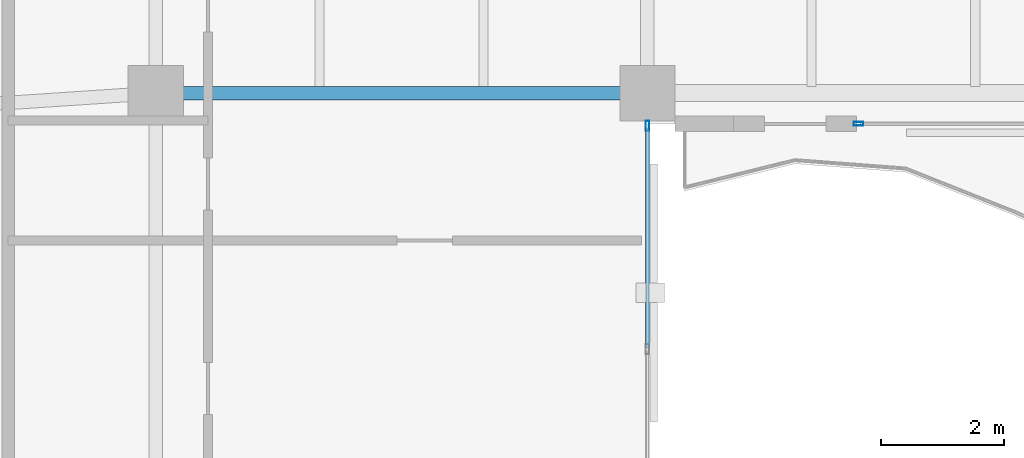
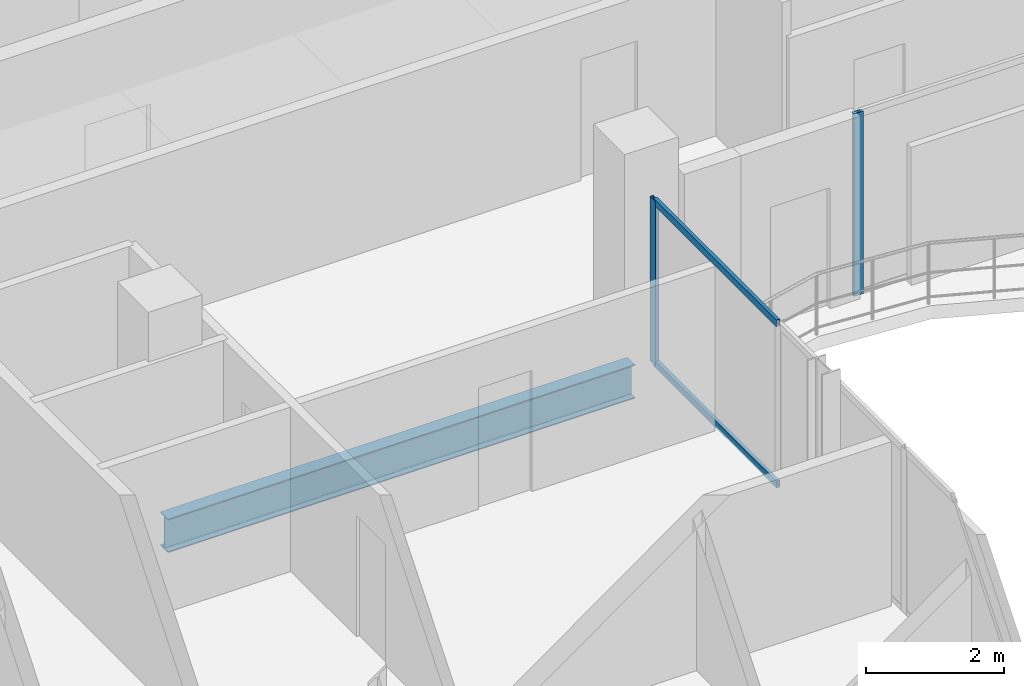
# One storey, part 8 of 22: 4 members, 1 beam, 2 elements without a shape of their own.
"""IFC4 building model written with IfcOpenShell, lengths in metres."""

from ifc_helpers import new_model, si_unit, direction, frame, origin, origin_2d, place, context, subcontext, project, spatial, hollow_rectangle, i_section, extrude, material, layer, layer_set, material_profile, profile_set, type_object, element, aggregate, save


model = new_model("IFC4")

# Units and contexts
model_context = context("Model", 3, precision=1e-05, world=origin(), true_north=direction((0.0, 1.0)))
body_context = subcontext(model_context, "Body", "Model", "MODEL_VIEW")
ifc_project = project(units=[si_unit("LENGTHUNIT", "METRE"), si_unit("AREAUNIT", "SQUARE_METRE"), si_unit("VOLUMEUNIT", "CUBIC_METRE"), si_unit("PLANEANGLEUNIT", "RADIAN"), si_unit("MASSUNIT", "GRAM", prefix="KILO")], contexts=[model_context])

# Site, building, storey
site_placement = place(None, origin())
site = spatial("IfcSite", under=ifc_project, at=site_placement, CompositionType="ELEMENT")
building_placement = place(site_placement, origin())
building = spatial("IfcBuilding", under=site, at=building_placement, Name="Catumbela Crestline Tower", CompositionType="ELEMENT")
storey_placement = place(building_placement, frame((0.0, 0.0, 222.2)))
storey = spatial("IfcBuildingStorey", under=building, at=storey_placement, Name="L57", CompositionType="ELEMENT", Elevation=222.2)

# Beam
ifc_material_1 = material(Name="Structural steel S355J2", Category="steel")
ifc_material_profile_1 = material_profile(ifc_material_1, i_section(OverallWidth=0.22, OverallDepth=0.6, WebThickness=0.012, FlangeThickness=0.019, FilletRadius=0.024, at=origin_2d()), Name="IPE 600")
ifc_profile_set_1 = profile_set([ifc_material_profile_1], Name="Structural steel S355J2")
beam_type = type_object("IfcBeamType", Name="BG-IPE600", PredefinedType="BEAM", material=ifc_profile_set_1)
beam_placement = place(storey_placement, frame((16.08, 24.5, -0.56), z_axis=(1.0, 0.0, 0.0), x_axis=(0.0, 1.0, 0.0)))
element("IfcBeam", 1, at=beam_placement, inside=storey, type_object=beam_type, Name="L57 Beam BM-L57-S03", PredefinedType="BEAM", context=body_context, shape_type="SweptSolid", body=[
    extrude(i_section(OverallWidth=0.22, OverallDepth=0.6, WebThickness=0.012, FlangeThickness=0.019, FilletRadius=0.024, at=origin_2d()), origin(), (0.0, 0.0, 1.0), 7.84),
])

# Curtain wall, member
ifc_material_2 = material(Name="Aluminium alloy AW-6060-T66", Category="aluminium")
ifc_layer = layer(ifc_material_2, 0.18, Name="Aluminium alloy AW-6060-T66")
ifc_layer_set = layer_set([ifc_layer], Name="Aluminium alloy AW-6060-T66")
curtain_wall_type = type_object("IfcCurtainWallType", Name="CWU-Z4", PredefinedType="USERDEFINED", material=ifc_layer_set)
curtain_wall_1_placement = place(storey_placement, origin())
curtain_wall_1 = element("IfcCurtainWall", 2, at=curtain_wall_1_placement, inside=storey, type_object=curtain_wall_type, Name="L57 Unitised Curtain Wall CW-L57-E2S1", ObjectType="UNITISED", PredefinedType="USERDEFINED")
ifc_material_profile_2 = material_profile(ifc_material_2, hollow_rectangle(XDim=0.06, YDim=0.16, WallThickness=0.004, at=origin_2d()), Name="ALU 160x60x4")
ifc_profile_set_2 = profile_set([ifc_material_profile_2], Name="Aluminium alloy AW-6060-T66")
member_type_1 = type_object("IfcMemberType", Name="MUL-160X60", PredefinedType="MULLION", material=ifc_profile_set_2)
member_1_placement = place(storey_placement, frame((24.0, 23.9675, 0.0), z_axis=(0.0, 0.0, 1.0), x_axis=(-1.0, 0.0, 0.0)))
member_1 = element("IfcMember", 3, at=member_1_placement, type_object=member_type_1, Name="CWU-Z4 mullion 4", PredefinedType="MULLION", context=body_context, shape_type="SweptSolid", body=[
    extrude(hollow_rectangle(XDim=0.06, YDim=0.16, WallThickness=0.004, at=origin_2d()), origin(), (0.0, 0.0, 1.0), 2.92),
])

curtain_wall_2_placement = place(storey_placement, origin())
curtain_wall_2 = element("IfcCurtainWall", 4, at=curtain_wall_2_placement, inside=storey, type_object=curtain_wall_type, Name="L57 Unitised Curtain Wall CW-L57-E3S2", ObjectType="UNITISED", PredefinedType="USERDEFINED")
member_2_placement = place(storey_placement, frame((27.4325, 24.0, 0.0), z_axis=(0.0, 0.0, 1.0), x_axis=(0.0, 1.0, 0.0)))
member_2 = element("IfcMember", 5, at=member_2_placement, type_object=member_type_1, Name="CWU-Z4 mullion 1", PredefinedType="MULLION", context=body_context, shape_type="SweptSolid", body=[
    extrude(hollow_rectangle(XDim=0.06, YDim=0.16, WallThickness=0.004, at=origin_2d()), origin(), (0.0, 0.0, 1.0), 3.24),
])
aggregate(curtain_wall_2, [member_2])

# Member
ifc_material_profile_3 = material_profile(ifc_material_2, hollow_rectangle(XDim=0.06, YDim=0.12, WallThickness=0.0035, at=origin_2d()), Name="ALU 120x60x3.5")
ifc_profile_set_3 = profile_set([ifc_material_profile_3], Name="Aluminium alloy AW-6060-T66")
member_type_2 = type_object("IfcMemberType", Name="TRN-120X60", PredefinedType="USERDEFINED", material=ifc_profile_set_3)
member_3_placement = place(storey_placement, frame((24.0, 20.3658, 0.03), z_axis=(0.0, 1.0, 0.0), x_axis=(-1.0, 0.0, 0.0)))
member_3 = element("IfcMember", 6, at=member_3_placement, type_object=member_type_2, Name="CWU-Z4 transom 3.1", ObjectType="TRANSOM", PredefinedType="USERDEFINED", context=body_context, shape_type="SweptSolid", body=[
    extrude(hollow_rectangle(XDim=0.06, YDim=0.12, WallThickness=0.0035, at=origin_2d()), origin(), (0.0, 0.0, 1.0), 3.5692),
])

member_4_placement = place(storey_placement, frame((24.0, 20.3658, 2.89), z_axis=(0.0, 1.0, 0.0), x_axis=(-1.0, 0.0, 0.0)))
member_4 = element("IfcMember", 7, at=member_4_placement, type_object=member_type_2, Name="CWU-Z4 transom 3.2", ObjectType="TRANSOM", PredefinedType="USERDEFINED", context=body_context, shape_type="SweptSolid", body=[
    extrude(hollow_rectangle(XDim=0.06, YDim=0.12, WallThickness=0.0035, at=origin_2d()), origin(), (0.0, 0.0, 1.0), 3.5692),
])

aggregate(curtain_wall_1, [member_1, member_3, member_4])

save(model, "model.ifc")
